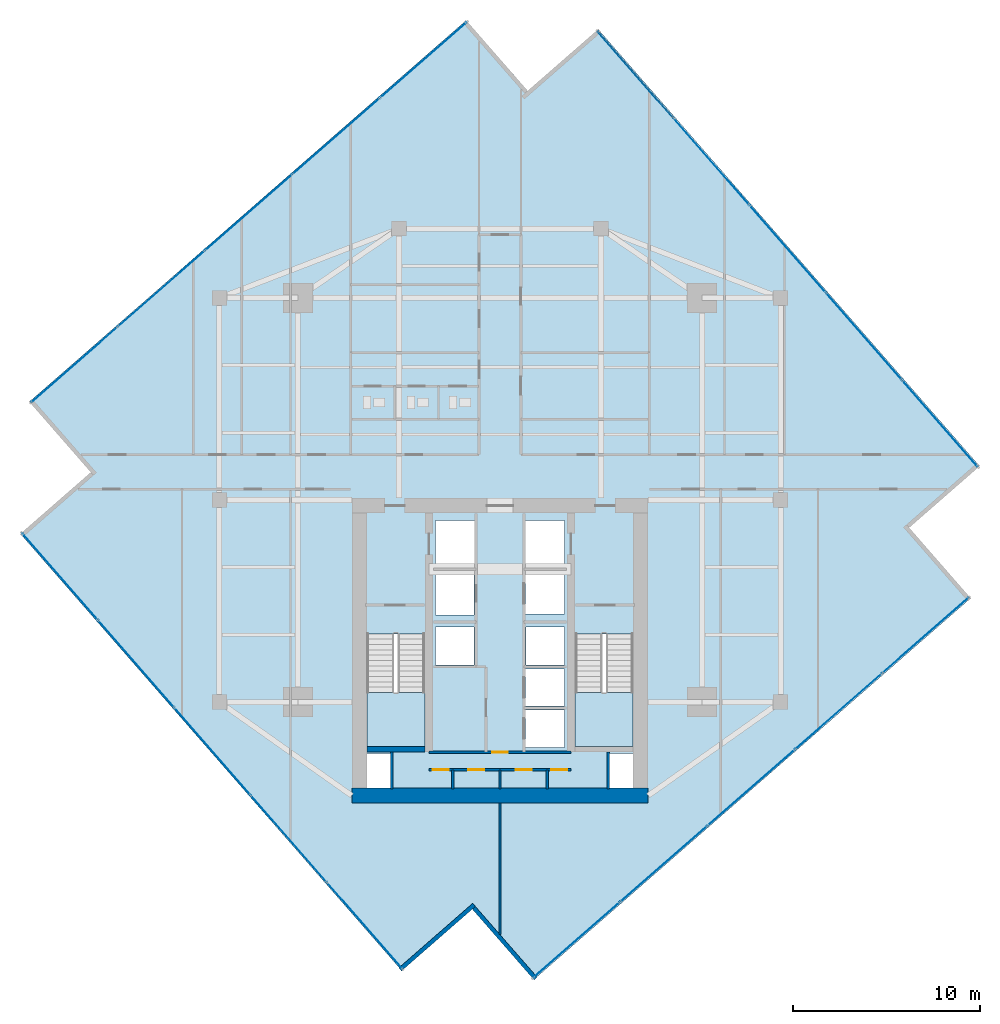
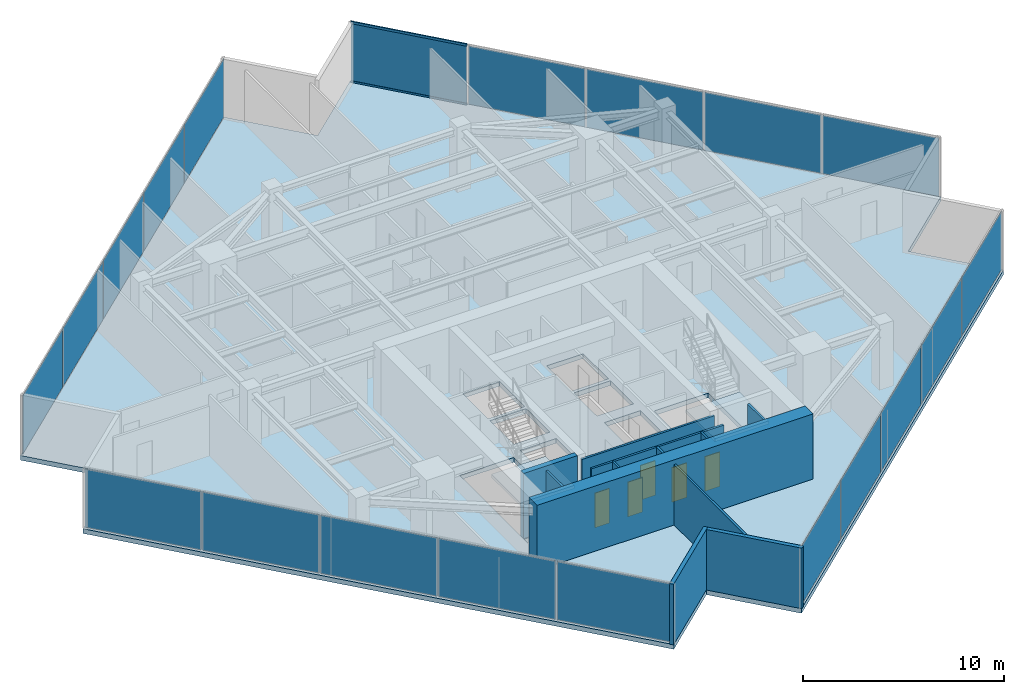
# One storey, part 19 of 24: 20 plates, 12 walls, 5 doors, 3 slabs, 2 members, 5 openings, 6 elements without a shape of their own.
"""IFC4 building model written with IfcOpenShell, lengths in metres."""

from ifc_helpers import new_model, si_unit, direction, frame, frame_2d, origin, origin_2d, place, context, subcontext, project, spatial, polyline, rectangle, hollow_rectangle, outline, extrude, source, transform, mapped, material, layer, layer_set, material_profile, profile_set, type_object, type_shapes, element, fill, aggregate, save


model = new_model("IFC4")

# Units and contexts
model_context = context("Model", 3, precision=1e-05, world=origin(), true_north=direction((0.0, 1.0)))
body_context = subcontext(model_context, "Body", "Model", "MODEL_VIEW")
ifc_project = project(units=[si_unit("LENGTHUNIT", "METRE"), si_unit("AREAUNIT", "SQUARE_METRE"), si_unit("VOLUMEUNIT", "CUBIC_METRE"), si_unit("PLANEANGLEUNIT", "RADIAN"), si_unit("MASSUNIT", "GRAM", prefix="KILO")], contexts=[model_context])

# Site, building, storey
site_placement = place(None, origin())
site = spatial("IfcSite", under=ifc_project, at=site_placement, CompositionType="ELEMENT")
building_placement = place(site_placement, origin())
building = spatial("IfcBuilding", under=site, at=building_placement, Name="Krantzveldt Concourse Tower", CompositionType="ELEMENT")
storey_placement = place(building_placement, frame((0.0, 0.0, 250.75)))
storey = spatial("IfcBuildingStorey", under=building, at=storey_placement, Name="L61", CompositionType="ELEMENT", Elevation=250.75)

# Curtain wall, members
ifc_material_1 = material(Name="Anodised aluminium 6063-T6", Category="aluminium")
curtain_wall_type = type_object("IfcCurtainWallType", Name="CW3", PredefinedType="USERDEFINED", material=ifc_material_1)
curtain_wall_1_placement = place(storey_placement, origin())
curtain_wall_1 = element("IfcCurtainWall", 1, at=curtain_wall_1_placement, inside=storey, type_object=curtain_wall_type, Name="CW-L61-F10", ObjectType="UNITISED CURTAIN WALL", PredefinedType="USERDEFINED")
ifc_material_profile = material_profile(ifc_material_1, hollow_rectangle(XDim=0.070068359375, YDim=0.139892578125, WallThickness=0.0048828125, at=origin_2d()), Name="Anodised aluminium 6063-T6", Category="aluminium")
ifc_profile_set = profile_set([ifc_material_profile], Name="Anodised aluminium 6063-T6 - ALU-TRAN 140x70x5")
member_type = type_object("IfcMemberType", Name="CW-TRN-150", PredefinedType="USERDEFINED", material=ifc_profile_set)
shared_shape_1 = source(origin(), body_context, "Body", "SweptSolid", [
    extrude(hollow_rectangle(XDim=0.070068359375, YDim=0.139892578125, WallThickness=0.0048828125, at=origin_2d()), origin(), (0.0, 0.0, 1.0), 6.094970703125),
])
type_shapes(member_type, [shared_shape_1])
member_1_placement = place(storey_placement, frame((45.234619140625, 47.155517578125, 0.034912109375), z_axis=(-0.657681823072, 0.753295838035, 0.0), x_axis=(-0.753295838035, -0.657681823072, 0.0)))
member_1 = element("IfcMember", 2, at=member_1_placement, type_object=member_type, Name="CW-Z34 transom 5.1", ObjectType="TRANSOM", PredefinedType="USERDEFINED", context=body_context, shape_type="MappedRepresentation", body=[
    mapped(shared_shape_1, transform((0.0, 0.0, 0.0), x_axis=(1.0, 0.0, 0.0), y_axis=(0.0, 1.0, 0.0), z_axis=(0.0, 0.0, 1.0), scale=1.0)),
])
member_2_placement = place(storey_placement, frame((45.234619140625, 47.155517578125, 3.635009765625), z_axis=(-0.657681823072, 0.753295838035, 0.0), x_axis=(-0.753295838035, -0.657681823072, 0.0)))
member_2 = element("IfcMember", 3, at=member_2_placement, type_object=member_type, Name="CW-Z34 transom 5.2", ObjectType="TRANSOM", PredefinedType="USERDEFINED", context=body_context, shape_type="MappedRepresentation", body=[
    mapped(shared_shape_1, transform((0.0, 0.0, 0.0), x_axis=(1.0, 0.0, 0.0), y_axis=(0.0, 1.0, 0.0), z_axis=(0.0, 0.0, 1.0), scale=1.0)),
])

# Stair, slab
ifc_material_2 = material(Name="Precast concrete C40/50", Category="concrete")
stair_type = type_object("IfcStairType", Name="STR-CORE-DOGLEG", PredefinedType="HALF_TURN_STAIR", material=ifc_material_2)
stair_1_placement = place(storey_placement, origin())
stair_1 = element("IfcStair", 4, at=stair_1_placement, inside=storey, type_object=stair_type, Name="L61 Protected Escape Stair ST-1", PredefinedType="HALF_TURN_STAIR")
ifc_layer_1 = layer(ifc_material_2, 0.199951171875, Name="Precast concrete C40/50", Category="concrete")
ifc_layer_set_1 = layer_set([ifc_layer_1], Name="Precast concrete C40/50 (SL-LANDING-200)")
slab_type_1 = type_object("IfcSlabType", Name="SL-LANDING-200", PredefinedType="LANDING", material=ifc_layer_set_1)
slab_1_placement = place(storey_placement, frame((0.0, 0.0, 1.77490234375)))
slab_1 = element("IfcSlab", 5, at=slab_1_placement, type_object=slab_type_1, Name="ST-1 landing 1", PredefinedType="LANDING", context=body_context, shape_type="SweptSolid", body=[
    extrude(outline(polyline([(28.8798828125, 16.4150390625), (28.8798828125, 13.52001953125), (31.97998046875, 13.52001953125), (31.97998046875, 16.4150390625), (28.8798828125, 16.4150390625)])), origin(), (0.0, 0.0, 1.0), 0.2001953125),
])
aggregate(stair_1, [slab_1])

stair_2_placement = place(storey_placement, origin())
stair_2 = element("IfcStair", 6, at=stair_2_placement, inside=storey, type_object=stair_type, Name="L61 Protected Escape Stair ST-2", PredefinedType="HALF_TURN_STAIR")
slab_2_placement = place(storey_placement, frame((0.0, 0.0, 1.77490234375)))
slab_2 = element("IfcSlab", 7, at=slab_2_placement, type_object=slab_type_1, Name="ST-2 landing 1", PredefinedType="LANDING", context=body_context, shape_type="SweptSolid", body=[
    extrude(outline(polyline([(40.02001953125, 16.4150390625), (40.02001953125, 13.52001953125), (43.1201171875, 13.52001953125), (43.1201171875, 16.4150390625), (40.02001953125, 16.4150390625)])), origin(), (0.0, 0.0, 1.0), 0.2001953125),
])
aggregate(stair_2, [slab_2])

# Slab
ifc_material_3 = material(Name="Concrete C40/50", Category="concrete")
ifc_layer_2 = layer(ifc_material_3, 0.280029296875, Name="Concrete C40/50", Category="concrete")
ifc_layer_set_2 = layer_set([ifc_layer_2], Name="Concrete C40/50 (SL-SL-TWR280)")
slab_type_2 = type_object("IfcSlabType", Name="SL-SL-TWR280", PredefinedType="FLOOR", material=ifc_layer_set_2)
slab_3_placement = place(storey_placement, frame((0.0, 0.0, -0.280029296875)))
element("IfcSlab", 8, at=slab_3_placement, inside=storey, type_object=slab_type_2, Name="SL-L61-MAIN", PredefinedType="FLOOR", context=body_context, shape_type="SweptSolid", body=[
    extrude(outline(polyline([(37.4814453125, 48.5703125), (34.19287109375, 52.336669921875), (10.84130859375, 31.94775390625), (14.1298828125, 28.181396484375), (10.363525390625, 24.892822265625), (30.752197265625, 1.541259765625), (34.5185546875, 4.829833984375), (37.80712890625, 1.0634765625), (61.15869140625, 21.4521484375), (57.8701171875, 25.21875), (61.636474609375, 28.507080078125), (41.247802734375, 51.858642578125), (37.4814453125, 48.5703125)]), holes=[polyline([(28.8798828125, 19.547607421875), (28.8798828125, 13.52001953125), (31.97998046875, 13.52001953125), (31.97998046875, 19.547607421875), (28.8798828125, 19.547607421875)]), polyline([(40.02001953125, 19.547607421875), (40.02001953125, 13.52001953125), (43.1201171875, 13.52001953125), (43.1201171875, 19.547607421875), (40.02001953125, 19.547607421875)]), polyline([(32.550048828125, 23.10009765625), (34.64990234375, 23.10009765625), (34.64990234375, 25.60009765625), (32.550048828125, 25.60009765625), (32.550048828125, 23.10009765625)]), polyline([(37.35009765625, 23.10009765625), (39.449951171875, 23.10009765625), (39.449951171875, 25.60009765625), (37.35009765625, 25.60009765625), (37.35009765625, 23.10009765625)]), polyline([(37.35009765625, 20.60009765625), (39.449951171875, 20.60009765625), (39.449951171875, 22.89990234375), (37.35009765625, 22.89990234375), (37.35009765625, 20.60009765625)]), polyline([(37.35009765625, 13.47998046875), (39.449951171875, 13.47998046875), (39.449951171875, 15.47998046875), (37.35009765625, 15.47998046875), (37.35009765625, 13.47998046875)]), polyline([(37.35009765625, 15.679931640625), (39.449951171875, 15.679931640625), (39.449951171875, 17.679931640625), (37.35009765625, 17.679931640625), (37.35009765625, 15.679931640625)]), polyline([(32.550048828125, 20.550048828125), (34.6201171875, 20.550048828125), (34.6201171875, 22.89990234375), (32.550048828125, 22.89990234375), (32.550048828125, 20.550048828125)]), polyline([(32.550048828125, 17.8798828125), (34.6201171875, 17.8798828125), (34.6201171875, 19.919921875), (32.550048828125, 19.919921875), (32.550048828125, 17.8798828125)]), polyline([(37.3798828125, 17.8798828125), (39.449951171875, 17.8798828125), (39.449951171875, 19.919921875), (37.3798828125, 19.919921875), (37.3798828125, 17.8798828125)]), polyline([(28.8798828125, 11.320068359375), (30.139892578125, 11.320068359375), (30.139892578125, 13.159912109375), (28.8798828125, 13.159912109375), (28.8798828125, 11.320068359375)]), polyline([(41.860107421875, 11.320068359375), (43.1201171875, 11.320068359375), (43.1201171875, 13.159912109375), (41.860107421875, 13.159912109375), (41.860107421875, 11.320068359375)])]), origin(), (0.0, 0.0, 1.0), 0.280029296875),
])

# Curtain wall, plates
curtain_wall_2_placement = place(storey_placement, origin())
curtain_wall_2 = element("IfcCurtainWall", 9, at=curtain_wall_2_placement, inside=storey, type_object=curtain_wall_type, Name="CW-L61-F01", ObjectType="UNITISED CURTAIN WALL", PredefinedType="USERDEFINED")
ifc_material_4 = material(Name="Bronze-tinted laminated low-E IGU glass", Category="glass")
ifc_layer_3 = layer(ifc_material_4, 0.031982421875, Name="Bronze-tinted laminated low-E IGU glass", Category="glass")
ifc_layer_set_3 = layer_set([ifc_layer_3], Name="Bronze-tinted laminated low-E IGU glass (CW-GLZ-32)")
plate_type = type_object("IfcPlateType", Name="CW-GLZ-32", PredefinedType="CURTAIN_PANEL", material=ifc_layer_set_3)
shared_shape_2 = source(origin(), body_context, "Body", "SweptSolid", [
    extrude(rectangle(XDim=6.094970703125, YDim=0.031982421875, at=origin_2d()), origin(), (0.0, 0.0, 1.0), 3.530029296875),
])
plate_1_placement = place(storey_placement, frame((31.90380859375, 50.218505859375, 0.06982421875), z_axis=(0.0, 0.0, 1.0), x_axis=(-0.753276529034, -0.657703938567, 0.0)))
plate_1 = element("IfcPlate", 10, at=plate_1_placement, type_object=plate_type, Name="CW-Z34 panel 1.1", PredefinedType="CURTAIN_PANEL", context=body_context, shape_type="MappedRepresentation", body=[
    mapped(shared_shape_2, transform((0.0, 0.0, 0.0), x_axis=(1.0, 0.0, 0.0), y_axis=(0.0, 1.0, 0.0), z_axis=(0.0, 0.0, 1.0), scale=1.0)),
])
plate_2_placement = place(storey_placement, frame((13.248779296875, 33.930419921875, 0.06982421875), z_axis=(0.0, 0.0, 1.0), x_axis=(-0.753276529034, -0.657703938567, 0.0)))
plate_2 = element("IfcPlate", 11, at=plate_2_placement, type_object=plate_type, Name="CW-Z34 panel 5.1", PredefinedType="CURTAIN_PANEL", context=body_context, shape_type="MappedRepresentation", body=[
    mapped(shared_shape_2, transform((0.0, 0.0, 0.0), x_axis=(1.0, 0.0, 0.0), y_axis=(0.0, 1.0, 0.0), z_axis=(0.0, 0.0, 1.0), scale=1.0)),
])

curtain_wall_3_placement = place(storey_placement, origin())
curtain_wall_3 = element("IfcCurtainWall", 12, at=curtain_wall_3_placement, inside=storey, type_object=curtain_wall_type, Name="CW-L61-F04", ObjectType="UNITISED CURTAIN WALL", PredefinedType="USERDEFINED")
plate_3_placement = place(storey_placement, frame((12.481689453125, 22.603759765625, 0.06982421875), z_axis=(0.0, 0.0, 1.0), x_axis=(0.657703938567, -0.753276529034, 0.0)))
plate_3 = element("IfcPlate", 13, at=plate_3_placement, type_object=plate_type, Name="CW-Z34 panel 1.1", PredefinedType="CURTAIN_PANEL", context=body_context, shape_type="MappedRepresentation", body=[
    mapped(shared_shape_2, transform((0.0, 0.0, 0.0), x_axis=(1.0, 0.0, 0.0), y_axis=(0.0, 1.0, 0.0), z_axis=(0.0, 0.0, 1.0), scale=1.0)),
])
plate_4_placement = place(storey_placement, frame((28.76953125, 3.94873046875, 0.06982421875), z_axis=(0.0, 0.0, 1.0), x_axis=(0.657703938567, -0.753276529034, 0.0)))
plate_4 = element("IfcPlate", 14, at=plate_4_placement, type_object=plate_type, Name="CW-Z34 panel 5.1", PredefinedType="CURTAIN_PANEL", context=body_context, shape_type="MappedRepresentation", body=[
    mapped(shared_shape_2, transform((0.0, 0.0, 0.0), x_axis=(1.0, 0.0, 0.0), y_axis=(0.0, 1.0, 0.0), z_axis=(0.0, 0.0, 1.0), scale=1.0)),
])

curtain_wall_4_placement = place(storey_placement, origin())
curtain_wall_4 = element("IfcCurtainWall", 15, at=curtain_wall_4_placement, inside=storey, type_object=curtain_wall_type, Name="CW-L61-F07", ObjectType="UNITISED CURTAIN WALL", PredefinedType="USERDEFINED")
plate_5_placement = place(storey_placement, frame((40.09619140625, 3.181640625, 0.06982421875), z_axis=(0.0, 0.0, 1.0), x_axis=(0.753276529034, 0.657703938567, 0.0)))
plate_5 = element("IfcPlate", 16, at=plate_5_placement, type_object=plate_type, Name="CW-Z34 panel 1.1", PredefinedType="CURTAIN_PANEL", context=body_context, shape_type="MappedRepresentation", body=[
    mapped(shared_shape_2, transform((0.0, 0.0, 0.0), x_axis=(1.0, 0.0, 0.0), y_axis=(0.0, 1.0, 0.0), z_axis=(0.0, 0.0, 1.0), scale=1.0)),
])
plate_6_placement = place(storey_placement, frame((58.751220703125, 19.4697265625, 0.06982421875), z_axis=(0.0, 0.0, 1.0), x_axis=(0.753276529034, 0.657703938567, 0.0)))
plate_6 = element("IfcPlate", 17, at=plate_6_placement, type_object=plate_type, Name="CW-Z34 panel 5.1", PredefinedType="CURTAIN_PANEL", context=body_context, shape_type="MappedRepresentation", body=[
    mapped(shared_shape_2, transform((0.0, 0.0, 0.0), x_axis=(1.0, 0.0, 0.0), y_axis=(0.0, 1.0, 0.0), z_axis=(0.0, 0.0, 1.0), scale=1.0)),
])

# Plate
plate_7_placement = place(storey_placement, frame((59.518310546875, 30.79638671875, 0.06982421875), z_axis=(0.0, 0.0, 1.0), x_axis=(-0.657703938567, 0.753276529034, 0.0)))
plate_7 = element("IfcPlate", 18, at=plate_7_placement, type_object=plate_type, Name="CW-Z34 panel 1.1", PredefinedType="CURTAIN_PANEL", context=body_context, shape_type="MappedRepresentation", body=[
    mapped(shared_shape_2, transform((0.0, 0.0, 0.0), x_axis=(1.0, 0.0, 0.0), y_axis=(0.0, 1.0, 0.0), z_axis=(0.0, 0.0, 1.0), scale=1.0)),
])

plate_8_placement = place(storey_placement, frame((43.23046875, 49.451171875, 0.06982421875), z_axis=(0.0, 0.0, 1.0), x_axis=(-0.657703938567, 0.753276529034, 0.0)))
plate_8 = element("IfcPlate", 19, at=plate_8_placement, type_object=plate_type, Name="CW-Z34 panel 5.1", PredefinedType="CURTAIN_PANEL", context=body_context, shape_type="MappedRepresentation", body=[
    mapped(shared_shape_2, transform((0.0, 0.0, 0.0), x_axis=(1.0, 0.0, 0.0), y_axis=(0.0, 1.0, 0.0), z_axis=(0.0, 0.0, 1.0), scale=1.0)),
])

shared_shape_3 = source(origin(), body_context, "Body", "SweptSolid", [
    extrude(rectangle(XDim=6.1298828125, YDim=0.031982421875, at=origin_2d()), origin(), (0.0, 0.0, 1.0), 3.530029296875),
])
type_shapes(plate_type, [shared_shape_2, shared_shape_3])
plate_9_placement = place(storey_placement, frame((27.24658203125, 46.152099609375, 0.06982421875), z_axis=(0.0, 0.0, 1.0), x_axis=(-0.753276529034, -0.657703938567, 0.0)))
plate_9 = element("IfcPlate", 20, at=plate_9_placement, type_object=plate_type, Name="CW-Z34 panel 2.1", PredefinedType="CURTAIN_PANEL", context=body_context, shape_type="MappedRepresentation", body=[
    mapped(shared_shape_3, transform((0.0, 0.0, 0.0), x_axis=(1.0, 0.0, 0.0), y_axis=(0.0, 1.0, 0.0), z_axis=(0.0, 0.0, 1.0), scale=1.0)),
])

plate_10_placement = place(storey_placement, frame((22.576171875, 42.074462890625, 0.06982421875), z_axis=(0.0, 0.0, 1.0), x_axis=(-0.753276529034, -0.657703938567, 0.0)))
plate_10 = element("IfcPlate", 21, at=plate_10_placement, type_object=plate_type, Name="CW-Z34 panel 3.1", PredefinedType="CURTAIN_PANEL", context=body_context, shape_type="MappedRepresentation", body=[
    mapped(shared_shape_3, transform((0.0, 0.0, 0.0), x_axis=(1.0, 0.0, 0.0), y_axis=(0.0, 1.0, 0.0), z_axis=(0.0, 0.0, 1.0), scale=1.0)),
])

plate_11_placement = place(storey_placement, frame((17.906005859375, 37.99658203125, 0.06982421875), z_axis=(0.0, 0.0, 1.0), x_axis=(-0.753276529034, -0.657703938567, 0.0)))
plate_11 = element("IfcPlate", 22, at=plate_11_placement, type_object=plate_type, Name="CW-Z34 panel 4.1", PredefinedType="CURTAIN_PANEL", context=body_context, shape_type="MappedRepresentation", body=[
    mapped(shared_shape_3, transform((0.0, 0.0, 0.0), x_axis=(1.0, 0.0, 0.0), y_axis=(0.0, 1.0, 0.0), z_axis=(0.0, 0.0, 1.0), scale=1.0)),
])

aggregate(curtain_wall_2, [plate_1, plate_9, plate_10, plate_11, plate_2])

plate_12_placement = place(storey_placement, frame((16.5478515625, 17.946533203125, 0.06982421875), z_axis=(0.0, 0.0, 1.0), x_axis=(0.657703938567, -0.753276529034, 0.0)))
plate_12 = element("IfcPlate", 23, at=plate_12_placement, type_object=plate_type, Name="CW-Z34 panel 2.1", PredefinedType="CURTAIN_PANEL", context=body_context, shape_type="MappedRepresentation", body=[
    mapped(shared_shape_3, transform((0.0, 0.0, 0.0), x_axis=(1.0, 0.0, 0.0), y_axis=(0.0, 1.0, 0.0), z_axis=(0.0, 0.0, 1.0), scale=1.0)),
])

plate_13_placement = place(storey_placement, frame((20.625732421875, 13.2763671875, 0.06982421875), z_axis=(0.0, 0.0, 1.0), x_axis=(0.657703938567, -0.753276529034, 0.0)))
plate_13 = element("IfcPlate", 24, at=plate_13_placement, type_object=plate_type, Name="CW-Z34 panel 3.1", PredefinedType="CURTAIN_PANEL", context=body_context, shape_type="MappedRepresentation", body=[
    mapped(shared_shape_3, transform((0.0, 0.0, 0.0), x_axis=(1.0, 0.0, 0.0), y_axis=(0.0, 1.0, 0.0), z_axis=(0.0, 0.0, 1.0), scale=1.0)),
])

plate_14_placement = place(storey_placement, frame((24.703369140625, 8.60595703125, 0.06982421875), z_axis=(0.0, 0.0, 1.0), x_axis=(0.657703938567, -0.753276529034, 0.0)))
plate_14 = element("IfcPlate", 25, at=plate_14_placement, type_object=plate_type, Name="CW-Z34 panel 4.1", PredefinedType="CURTAIN_PANEL", context=body_context, shape_type="MappedRepresentation", body=[
    mapped(shared_shape_3, transform((0.0, 0.0, 0.0), x_axis=(1.0, 0.0, 0.0), y_axis=(0.0, 1.0, 0.0), z_axis=(0.0, 0.0, 1.0), scale=1.0)),
])

aggregate(curtain_wall_3, [plate_3, plate_12, plate_13, plate_14, plate_4])

plate_15_placement = place(storey_placement, frame((44.75341796875, 7.247802734375, 0.06982421875), z_axis=(0.0, 0.0, 1.0), x_axis=(0.753276529034, 0.657703938567, 0.0)))
plate_15 = element("IfcPlate", 26, at=plate_15_placement, type_object=plate_type, Name="CW-Z34 panel 2.1", PredefinedType="CURTAIN_PANEL", context=body_context, shape_type="MappedRepresentation", body=[
    mapped(shared_shape_3, transform((0.0, 0.0, 0.0), x_axis=(1.0, 0.0, 0.0), y_axis=(0.0, 1.0, 0.0), z_axis=(0.0, 0.0, 1.0), scale=1.0)),
])

plate_16_placement = place(storey_placement, frame((49.423828125, 11.32568359375, 0.06982421875), z_axis=(0.0, 0.0, 1.0), x_axis=(0.753276529034, 0.657703938567, 0.0)))
plate_16 = element("IfcPlate", 27, at=plate_16_placement, type_object=plate_type, Name="CW-Z34 panel 3.1", PredefinedType="CURTAIN_PANEL", context=body_context, shape_type="MappedRepresentation", body=[
    mapped(shared_shape_3, transform((0.0, 0.0, 0.0), x_axis=(1.0, 0.0, 0.0), y_axis=(0.0, 1.0, 0.0), z_axis=(0.0, 0.0, 1.0), scale=1.0)),
])

plate_17_placement = place(storey_placement, frame((54.093994140625, 15.4033203125, 0.06982421875), z_axis=(0.0, 0.0, 1.0), x_axis=(0.753276529034, 0.657703938567, 0.0)))
plate_17 = element("IfcPlate", 28, at=plate_17_placement, type_object=plate_type, Name="CW-Z34 panel 4.1", PredefinedType="CURTAIN_PANEL", context=body_context, shape_type="MappedRepresentation", body=[
    mapped(shared_shape_3, transform((0.0, 0.0, 0.0), x_axis=(1.0, 0.0, 0.0), y_axis=(0.0, 1.0, 0.0), z_axis=(0.0, 0.0, 1.0), scale=1.0)),
])

aggregate(curtain_wall_4, [plate_5, plate_15, plate_16, plate_17, plate_6])

plate_18_placement = place(storey_placement, frame((55.4521484375, 35.453369140625, 0.06982421875), z_axis=(0.0, 0.0, 1.0), x_axis=(-0.657703938567, 0.753276529034, 0.0)))
plate_18 = element("IfcPlate", 29, at=plate_18_placement, type_object=plate_type, Name="CW-Z34 panel 2.1", PredefinedType="CURTAIN_PANEL", context=body_context, shape_type="MappedRepresentation", body=[
    mapped(shared_shape_3, transform((0.0, 0.0, 0.0), x_axis=(1.0, 0.0, 0.0), y_axis=(0.0, 1.0, 0.0), z_axis=(0.0, 0.0, 1.0), scale=1.0)),
])

plate_19_placement = place(storey_placement, frame((51.374267578125, 40.123779296875, 0.06982421875), z_axis=(0.0, 0.0, 1.0), x_axis=(-0.657703938567, 0.753276529034, 0.0)))
plate_19 = element("IfcPlate", 30, at=plate_19_placement, type_object=plate_type, Name="CW-Z34 panel 3.1", PredefinedType="CURTAIN_PANEL", context=body_context, shape_type="MappedRepresentation", body=[
    mapped(shared_shape_3, transform((0.0, 0.0, 0.0), x_axis=(1.0, 0.0, 0.0), y_axis=(0.0, 1.0, 0.0), z_axis=(0.0, 0.0, 1.0), scale=1.0)),
])

plate_20_placement = place(storey_placement, frame((47.296630859375, 44.7939453125, 0.06982421875), z_axis=(0.0, 0.0, 1.0), x_axis=(-0.657703938567, 0.753276529034, 0.0)))
plate_20 = element("IfcPlate", 31, at=plate_20_placement, type_object=plate_type, Name="CW-Z34 panel 4.1", PredefinedType="CURTAIN_PANEL", context=body_context, shape_type="MappedRepresentation", body=[
    mapped(shared_shape_3, transform((0.0, 0.0, 0.0), x_axis=(1.0, 0.0, 0.0), y_axis=(0.0, 1.0, 0.0), z_axis=(0.0, 0.0, 1.0), scale=1.0)),
])

aggregate(curtain_wall_1, [plate_7, plate_18, plate_19, plate_20, member_1, member_2, plate_8])

# Walls
ifc_layer_4 = layer(ifc_material_1, 0.219970703125, Name="Anodised aluminium 6063-T6", Category="aluminium")
ifc_layer_set_4 = layer_set([ifc_layer_4], Name="Anodised aluminium 6063-T6 (WL-EXT-NOTCH220)")
wall_type_1 = type_object("IfcWallType", Name="WL-EXT-NOTCH220", PredefinedType="ELEMENTEDWALL", material=ifc_layer_set_4)
wall_1_placement = place(storey_placement, frame((30.6611328125, 1.607666015625, 0.0), z_axis=(0.0, 0.0, 1.0), x_axis=(0.7532711863, 0.657710057617, 0.0)))
element("IfcWall", 32, at=wall_1_placement, inside=storey, type_object=wall_type_1, Name="EW-L61-NCH05", PredefinedType="ELEMENTEDWALL", context=body_context, shape_type="SweptSolid", body=[
    extrude(rectangle(XDim=5.2451171875, YDim=0.219970703125, at=frame_2d((2.62255859375, 0.0))), origin(), (0.0, 0.0, 1.0), 3.669921875),
])
wall_2_placement = place(storey_placement, frame((34.6015625, 4.902099609375, 0.0), z_axis=(0.0, 0.0, 1.0), x_axis=(0.657706226339, -0.753274531518, 0.0)))
element("IfcWall", 33, at=wall_2_placement, inside=storey, type_object=wall_type_1, Name="EW-L61-NCH06", PredefinedType="ELEMENTEDWALL", context=body_context, shape_type="SweptSolid", body=[
    extrude(rectangle(XDim=5.02490234375, YDim=0.219970703125, at=frame_2d((2.512451171875, 0.0))), origin(), (0.0, 0.0, 1.0), 3.669921875),
])

# Wall, opening, door
ifc_material_5 = material(Name="Fire-rated gypsum plasterboard on steel stud", Category="steel")
ifc_layer_5 = layer(ifc_material_5, 0.1201171875, Name="Fire-rated gypsum plasterboard on steel stud", Category="steel")
ifc_layer_set_5 = layer_set([ifc_layer_5], Name="Fire-rated gypsum plasterboard on steel stud (WL-PART-120)")
wall_type_2 = type_object("IfcWallType", Name="WL-PART-120", PredefinedType="PARTITIONING", material=ifc_layer_set_5)
wall_3_placement = place(storey_placement, frame((32.2099609375, 13.219970703125, 0.0), z_axis=(0.0, 0.0, 1.0), x_axis=(1.0, 0.0, 0.0)))
wall_3 = element("IfcWall", 34, at=wall_3_placement, inside=storey, type_object=wall_type_2, Name="WP-L61-CS2H", PredefinedType="PARTITIONING", context=body_context, shape_type="SweptSolid", body=[
    extrude(rectangle(XDim=7.580078125, YDim=0.1201171875, at=frame_2d((3.7900390625, 0.0))), origin(), (0.0, 0.0, 1.0), 3.669921875),
])
opening_1_placement = place(wall_3_placement, frame((3.364990234375, 0.0, 0.0)))
opening_1 = element("IfcOpeningElement", 35, at=opening_1_placement, cuts=wall_3, Name="Opening D-IN085", PredefinedType="OPENING", context=body_context, shape_type="SweptSolid", body=[
    extrude(rectangle(XDim=0.85009765625, YDim=2.10009765625, at=frame_2d((0.425048828125, 1.050048828125))), frame((0.0, 0.070068359375, 0.0), z_axis=(0.0, -1.0, 0.0), x_axis=(1.0, 0.0, 0.0)), (0.0, 0.0, 1.0), 0.14013671875),
])
ifc_material_6 = material(Name="Hardwood timber", Category="wood")
door_type = type_object("IfcDoorType", Name="DR-INT-850", OperationType="SINGLE_SWING_LEFT", PredefinedType="DOOR", material=ifc_material_6)
door_1_placement = place(opening_1_placement, origin())
door_1 = element("IfcDoor", 36, at=door_1_placement, inside=storey, type_object=door_type, Name="DR-L61-LLBS", OperationType="SINGLE_SWING_RIGHT", OverallHeight=2.10009765625, OverallWidth=0.85009765625, PredefinedType="DOOR", context=body_context, shape_type="SweptSolid", body=[
    extrude(rectangle(XDim=0.85009765625, YDim=2.10009765625, at=frame_2d((0.425048828125, 1.050048828125))), frame((0.0, 0.02490234375, 0.0), z_axis=(0.0, -1.0, 0.0), x_axis=(1.0, 0.0, 0.0)), (0.0, 0.0, 1.0), 0.050048828125),
])
fill(opening_1, door_1)

# Wall, openings, doors
wall_4_placement = place(storey_placement, frame((32.2099609375, 12.280029296875, 0.0), z_axis=(0.0, 0.0, 1.0), x_axis=(1.0, 0.0, 0.0)))
wall_4 = element("IfcWall", 37, at=wall_4_placement, inside=storey, type_object=wall_type_2, Name="WP-L61-CSD-HM", PredefinedType="PARTITIONING", context=body_context, shape_type="SweptSolid", body=[
    extrude(rectangle(XDim=7.580078125, YDim=0.1201171875, at=frame_2d((3.7900390625, 0.0))), origin(), (0.0, 0.0, 1.0), 3.669921875),
])
opening_2_placement = place(wall_4_placement, frame((0.205078125, 0.0, 0.0)))
opening_2 = element("IfcOpeningElement", 38, at=opening_2_placement, cuts=wall_4, Name="Opening D-IN085", PredefinedType="OPENING", context=body_context, shape_type="SweptSolid", body=[
    extrude(rectangle(XDim=0.85009765625, YDim=2.10009765625, at=frame_2d((0.425048828125, 1.050048828125))), frame((0.0, 0.070068359375, 0.0), z_axis=(0.0, -1.0, 0.0), x_axis=(1.0, 0.0, 0.0)), (0.0, 0.0, 1.0), 0.14013671875),
])
opening_3_placement = place(wall_4_placement, frame((2.094970703125, 0.0, 0.0)))
opening_3 = element("IfcOpeningElement", 39, at=opening_3_placement, cuts=wall_4, Name="Opening D-IN085", PredefinedType="OPENING", context=body_context, shape_type="SweptSolid", body=[
    extrude(rectangle(XDim=0.85009765625, YDim=2.10009765625, at=frame_2d((0.425048828125, 1.050048828125))), frame((0.0, 0.070068359375, 0.0), z_axis=(0.0, -1.0, 0.0), x_axis=(1.0, 0.0, 0.0)), (0.0, 0.0, 1.0), 0.14013671875),
])
opening_4_placement = place(wall_4_placement, frame((4.635009765625, 0.0, 0.0)))
opening_4 = element("IfcOpeningElement", 40, at=opening_4_placement, cuts=wall_4, Name="Opening D-IN085", PredefinedType="OPENING", context=body_context, shape_type="SweptSolid", body=[
    extrude(rectangle(XDim=0.85009765625, YDim=2.10009765625, at=frame_2d((0.425048828125, 1.050048828125))), frame((0.0, 0.070068359375, 0.0), z_axis=(0.0, -1.0, 0.0), x_axis=(1.0, 0.0, 0.0)), (0.0, 0.0, 1.0), 0.14013671875),
])
opening_5_placement = place(wall_4_placement, frame((6.52490234375, 0.0, 0.0)))
opening_5 = element("IfcOpeningElement", 41, at=opening_5_placement, cuts=wall_4, Name="Opening D-IN085", PredefinedType="OPENING", context=body_context, shape_type="SweptSolid", body=[
    extrude(rectangle(XDim=0.85009765625, YDim=2.10009765625, at=frame_2d((0.425048828125, 1.050048828125))), frame((0.0, 0.070068359375, 0.0), z_axis=(0.0, -1.0, 0.0), x_axis=(1.0, 0.0, 0.0)), (0.0, 0.0, 1.0), 0.14013671875),
])
door_2_placement = place(opening_2_placement, origin())
door_2 = element("IfcDoor", 42, at=door_2_placement, inside=storey, type_object=door_type, Name="DR-L61-CSD1", OperationType="SINGLE_SWING_RIGHT", OverallHeight=2.10009765625, OverallWidth=0.85009765625, PredefinedType="DOOR", context=body_context, shape_type="SweptSolid", body=[
    extrude(rectangle(XDim=0.85009765625, YDim=2.10009765625, at=frame_2d((0.425048828125, 1.050048828125))), frame((0.0, 0.02490234375, 0.0), z_axis=(0.0, -1.0, 0.0), x_axis=(1.0, 0.0, 0.0)), (0.0, 0.0, 1.0), 0.050048828125),
])
fill(opening_2, door_2)
door_3_placement = place(opening_3_placement, origin())
door_3 = element("IfcDoor", 43, at=door_3_placement, inside=storey, type_object=door_type, Name="DR-L61-CSD2", OperationType="SINGLE_SWING_RIGHT", OverallHeight=2.10009765625, OverallWidth=0.85009765625, PredefinedType="DOOR", context=body_context, shape_type="SweptSolid", body=[
    extrude(rectangle(XDim=0.85009765625, YDim=2.10009765625, at=frame_2d((0.425048828125, 1.050048828125))), frame((0.0, 0.02490234375, 0.0), z_axis=(0.0, -1.0, 0.0), x_axis=(1.0, 0.0, 0.0)), (0.0, 0.0, 1.0), 0.050048828125),
])
fill(opening_3, door_3)
door_4_placement = place(opening_4_placement, origin())
door_4 = element("IfcDoor", 44, at=door_4_placement, inside=storey, type_object=door_type, Name="DR-L61-CSD3", OperationType="SINGLE_SWING_RIGHT", OverallHeight=2.10009765625, OverallWidth=0.85009765625, PredefinedType="DOOR", context=body_context, shape_type="SweptSolid", body=[
    extrude(rectangle(XDim=0.85009765625, YDim=2.10009765625, at=frame_2d((0.425048828125, 1.050048828125))), frame((0.0, 0.02490234375, 0.0), z_axis=(0.0, -1.0, 0.0), x_axis=(1.0, 0.0, 0.0)), (0.0, 0.0, 1.0), 0.050048828125),
])
fill(opening_4, door_4)
door_5_placement = place(opening_5_placement, origin())
door_5 = element("IfcDoor", 45, at=door_5_placement, inside=storey, type_object=door_type, Name="DR-L61-CSD4", OperationType="SINGLE_SWING_RIGHT", OverallHeight=2.10009765625, OverallWidth=0.85009765625, PredefinedType="DOOR", context=body_context, shape_type="SweptSolid", body=[
    extrude(rectangle(XDim=0.85009765625, YDim=2.10009765625, at=frame_2d((0.425048828125, 1.050048828125))), frame((0.0, 0.02490234375, 0.0), z_axis=(0.0, -1.0, 0.0), x_axis=(1.0, 0.0, 0.0)), (0.0, 0.0, 1.0), 0.050048828125),
])
fill(opening_5, door_5)

# Walls
for number, where, z_axis, x_axis, name in (
    (46, (33.469970703125, 11.25, 0.0), (0.0, 0.0, 1.0), (0.0, 1.0, 0.0), "WP-L61-CSD-V1"),
    (47, (36.0, 11.25, 0.0), (0.0, 0.0, 1.0), (0.0, 1.0, 0.0), "WP-L61-CSD-V2"),
    (48, (38.530029296875, 11.25, 0.0), (0.0, 0.0, 1.0), (0.0, 1.0, 0.0), "WP-L61-CSD-V3"),
):
    element("IfcWall", number, at=place(storey_placement, frame(where, z_axis=z_axis, x_axis=x_axis)), inside=storey, type_object=wall_type_2, Name=name, PredefinedType="PARTITIONING", context=body_context, shape_type="SweptSolid", body=[
        extrude(rectangle(XDim=1.030029296875, YDim=0.1201171875, at=frame_2d((0.51513671875, 0.0))), origin(), (0.0, 0.0, 1.0), 3.669921875),
    ])
wall_5_placement = place(storey_placement, frame((36.0, 3.475341796875, 0.0), z_axis=(0.0, 0.0, 1.0), x_axis=(0.0, 1.0, 0.0)))
element("IfcWall", 49, at=wall_5_placement, inside=storey, type_object=wall_type_2, Name="WP-L61-SMID", PredefinedType="PARTITIONING", context=body_context, shape_type="SweptSolid", body=[
    extrude(rectangle(XDim=7.024658203125, YDim=0.1201171875, at=frame_2d((3.51220703125, 0.0))), origin(), (0.0, 0.0, 1.0), 3.669921875),
])
ifc_layer_6 = layer(ifc_material_5, 0.139892578125, Name="Fire-rated gypsum plasterboard on steel stud", Category="steel")
ifc_layer_set_6 = layer_set([ifc_layer_6], Name="Fire-rated gypsum plasterboard on steel stud (WL-PART-FR140)")
wall_type_3 = type_object("IfcWallType", Name="WL-PART-FR140", PredefinedType="PARTITIONING", material=ifc_layer_set_6)
for number, where, z_axis, x_axis, name in (
    (50, (30.219970703125, 11.25, 0.0), (0.0, 0.0, 1.0), (0.0, 1.0, 0.0), "WP-L61-RSW"),
    (51, (41.780029296875, 11.25, 0.0), (0.0, 0.0, 1.0), (0.0, 1.0, 0.0), "WP-L61-RSE"),
):
    element("IfcWall", number, at=place(storey_placement, frame(where, z_axis=z_axis, x_axis=x_axis)), inside=storey, type_object=wall_type_3, Name=name, PredefinedType="PARTITIONING", context=body_context, shape_type="SweptSolid", body=[
        extrude(rectangle(XDim=1.969970703125, YDim=0.1201171875, at=frame_2d((0.98486328125, 0.0))), origin(), (0.0, 0.0, 1.0), 3.669921875),
    ])
ifc_material_7 = material(Name="Concrete C50/60", Category="concrete")
ifc_layer_7 = layer(ifc_material_7, 0.300048828125, Name="Concrete C50/60", Category="concrete")
ifc_layer_set_7 = layer_set([ifc_layer_7], Name="Concrete C50/60 (WL-SHEAR-300)")
wall_type_4 = type_object("IfcWallType", Name="WL-SHEAR-300", PredefinedType="SHEAR", material=ifc_layer_set_7)
wall_6_placement = place(storey_placement, frame((28.8798828125, 13.3701171875, 0.0), z_axis=(0.0, 0.0, 1.0), x_axis=(1.0, 0.0, 0.0)))
element("IfcWall", 52, at=wall_6_placement, inside=storey, type_object=wall_type_4, Name="CW-L61-ST1S", PredefinedType="SHEAR", context=body_context, shape_type="SweptSolid", body=[
    extrude(rectangle(XDim=3.10009765625, YDim=0.300048828125, at=frame_2d((1.550048828125, 0.0))), origin(), (0.0, 0.0, 1.0), 3.949951171875),
])
ifc_material_8 = material(Name="Concrete C60/75", Category="concrete")
ifc_layer_8 = layer(ifc_material_8, 0.800048828125, Name="Concrete C60/75", Category="concrete")
ifc_layer_set_8 = layer_set([ifc_layer_8], Name="Concrete C60/75 (WL-SHEAR-800)")
wall_type_5 = type_object("IfcWallType", Name="WL-SHEAR-800", PredefinedType="SHEAR", material=ifc_layer_set_8)
wall_7_placement = place(storey_placement, frame((28.080078125, 10.89990234375, 0.0), z_axis=(0.0, 0.0, 1.0), x_axis=(1.0, 0.0, 0.0)))
element("IfcWall", 53, at=wall_7_placement, inside=storey, type_object=wall_type_5, Name="CW-L61-S", PredefinedType="SHEAR", context=body_context, shape_type="SweptSolid", body=[
    extrude(rectangle(XDim=15.83984375, YDim=0.800048828125, at=frame_2d((7.919921875, 0.0))), origin(), (0.0, 0.0, 1.0), 3.949951171875),
])

save(model, "model.ifc")
